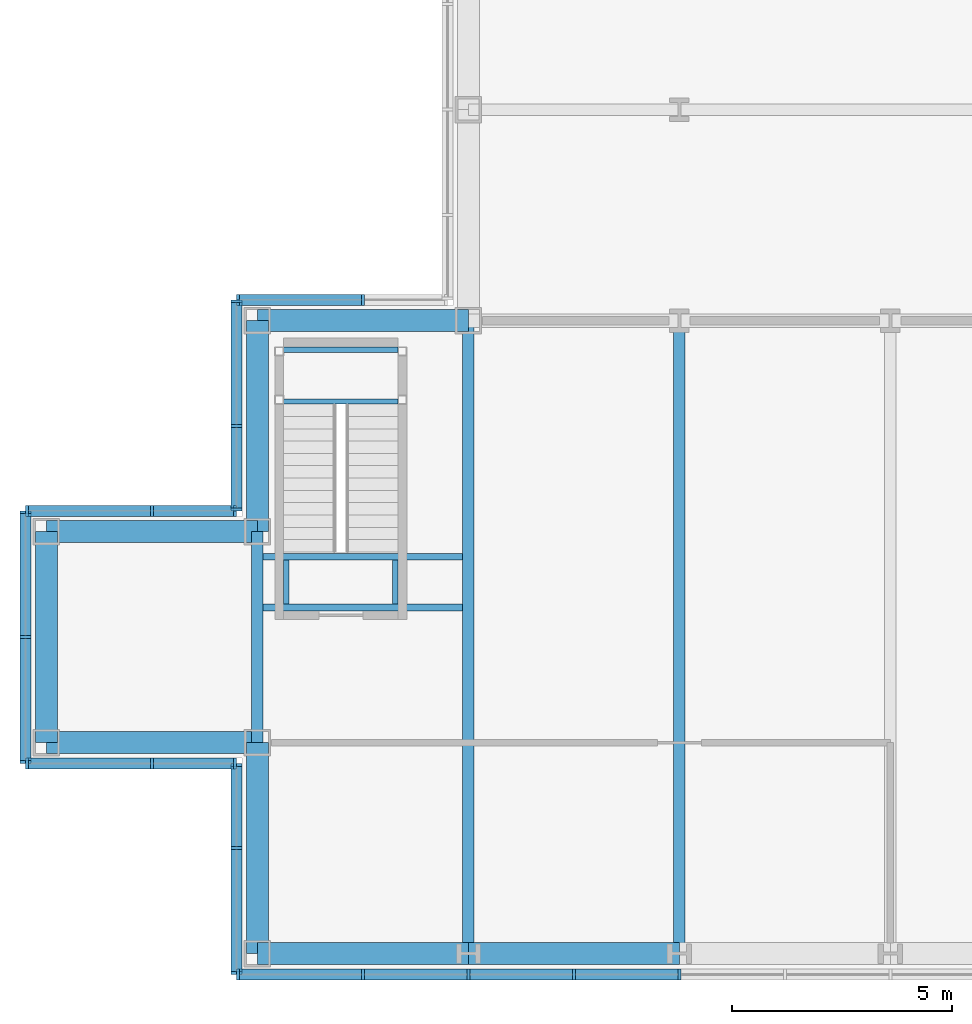
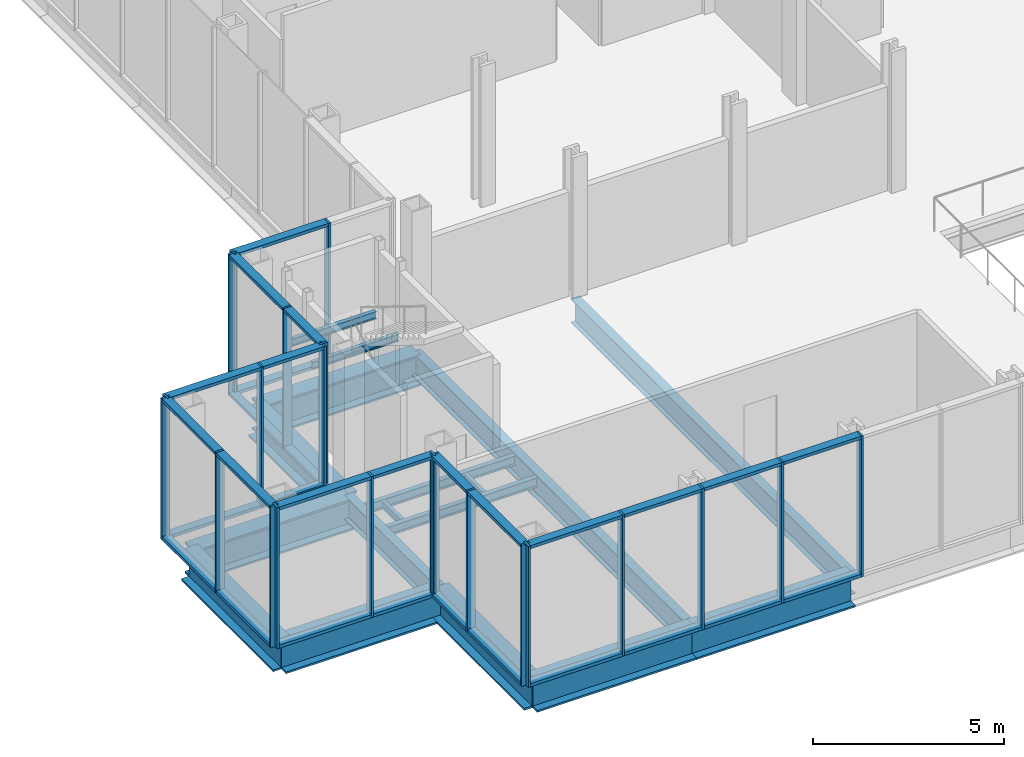
# One storey, part 11 of 26: 52 members, 17 beams, 7 elements without a shape of their own.
"""IFC4 building model written with IfcOpenShell, lengths in metres."""

from ifc_helpers import new_model, si_unit, direction, frame, origin, origin_2d, place, context, subcontext, project, spatial, rectangle, i_section, extrude, material, material_profile, profile_set, type_object, element, aggregate, save


model = new_model("IFC4")

# Units and contexts
model_context = context("Model", 3, precision=1e-05, world=origin(), true_north=direction((0.0, 1.0)))
body_context = subcontext(model_context, "Body", "Model", "MODEL_VIEW")
ifc_project = project(units=[si_unit("LENGTHUNIT", "METRE"), si_unit("AREAUNIT", "SQUARE_METRE"), si_unit("VOLUMEUNIT", "CUBIC_METRE"), si_unit("PLANEANGLEUNIT", "RADIAN"), si_unit("MASSUNIT", "GRAM", prefix="KILO")], contexts=[model_context])

# Site, building, storey
site_placement = place(None, origin())
site = spatial("IfcSite", under=ifc_project, at=site_placement, CompositionType="ELEMENT")
building_placement = place(site_placement, origin())
building = spatial("IfcBuilding", under=site, at=building_placement, Name="Kvirike Care Tower", CompositionType="ELEMENT")
storey_placement = place(building_placement, frame((0.0, 0.0, 18.0)))
storey = spatial("IfcBuildingStorey", under=building, at=storey_placement, Name="L04", CompositionType="ELEMENT", Elevation=18.0)

# Curtain wall, members
ifc_material_1 = material(Name="Anodised aluminium stick system", Category="aluminium")
curtain_wall_type = type_object("IfcCurtainWallType", Name="CW-P PODIUM STICK CURTAIN WALL", PredefinedType="NOTDEFINED", material=ifc_material_1)
curtain_wall_1_placement = place(storey_placement, origin())
curtain_wall_1 = element("IfcCurtainWall", 1, at=curtain_wall_1_placement, inside=storey, type_object=curtain_wall_type, Name="Curtain wall L04 face 1", PredefinedType="NOTDEFINED")
ifc_material_2 = material(Name="Bronze anodised aluminium mullion", Category="aluminium")
ifc_material_profile_1 = material_profile(ifc_material_2, rectangle(XDim=0.06494140625, YDim=0.25, at=origin_2d()), Name="CW-P MULLION 65x250")
ifc_profile_set_1 = profile_set([ifc_material_profile_1], Name="Bronze anodised aluminium mullion")
member_type_1 = type_object("IfcMemberType", Name="CW-P MULLION 65x250", PredefinedType="MULLION", material=ifc_profile_set_1)
member_1_placement = place(storey_placement, frame((-5.242431640625, -0.47509765625, 0.0), z_axis=(0.0, 0.0, 1.0), x_axis=(1.0, 0.0, 0.0)))
member_1 = element("IfcMember", 2, at=member_1_placement, type_object=member_type_1, Name="CW-P mullion L04 face 1.1", PredefinedType="MULLION", context=body_context, shape_type="SweptSolid", body=[
    extrude(rectangle(XDim=0.06494140625, YDim=0.25, at=origin_2d()), origin(), (0.0, 0.0, 1.0), 4.5),
])
member_2_placement = place(storey_placement, frame((-2.39990234375, -0.47509765625, 0.0), z_axis=(0.0, 0.0, 1.0), x_axis=(1.0, 0.0, 0.0)))
member_2 = element("IfcMember", 3, at=member_2_placement, type_object=member_type_1, Name="CW-P mullion L04 face 1.2", PredefinedType="MULLION", context=body_context, shape_type="SweptSolid", body=[
    extrude(rectangle(XDim=0.06494140625, YDim=0.25, at=origin_2d()), origin(), (0.0, 0.0, 1.0), 4.5),
])
member_3_placement = place(storey_placement, frame((0.0, -0.47509765625, 0.0), z_axis=(0.0, 0.0, 1.0), x_axis=(1.0, 0.0, 0.0)))
member_3 = element("IfcMember", 4, at=member_3_placement, type_object=member_type_1, Name="CW-P mullion L04 face 1.3", PredefinedType="MULLION", context=body_context, shape_type="SweptSolid", body=[
    extrude(rectangle(XDim=0.06494140625, YDim=0.25, at=origin_2d()), origin(), (0.0, 0.0, 1.0), 4.5),
])
member_4_placement = place(storey_placement, frame((2.39990234375, -0.47509765625, 0.0), z_axis=(0.0, 0.0, 1.0), x_axis=(1.0, 0.0, 0.0)))
member_4 = element("IfcMember", 5, at=member_4_placement, type_object=member_type_1, Name="CW-P mullion L04 face 1.4", PredefinedType="MULLION", context=body_context, shape_type="SweptSolid", body=[
    extrude(rectangle(XDim=0.06494140625, YDim=0.25, at=origin_2d()), origin(), (0.0, 0.0, 1.0), 4.5),
])
member_5_placement = place(storey_placement, frame((4.800048828125, -0.47509765625, 0.0), z_axis=(0.0, 0.0, 1.0), x_axis=(1.0, 0.0, 0.0)))
member_5 = element("IfcMember", 6, at=member_5_placement, type_object=member_type_1, Name="CW-P mullion L04 face 1.5", PredefinedType="MULLION", context=body_context, shape_type="SweptSolid", body=[
    extrude(rectangle(XDim=0.06494140625, YDim=0.25, at=origin_2d()), origin(), (0.0, 0.0, 1.0), 4.5),
])

curtain_wall_2_placement = place(storey_placement, origin())
curtain_wall_2 = element("IfcCurtainWall", 7, at=curtain_wall_2_placement, inside=storey, type_object=curtain_wall_type, Name="Curtain wall L04 face 15", PredefinedType="NOTDEFINED")
member_6_placement = place(storey_placement, frame((-2.39990234375, 14.875, 0.0), z_axis=(0.0, 0.0, 1.0), x_axis=(-1.0, 0.0, 0.0)))
member_6 = element("IfcMember", 8, at=member_6_placement, type_object=member_type_1, Name="CW-P mullion L04 face 15.2", PredefinedType="MULLION", context=body_context, shape_type="SweptSolid", body=[
    extrude(rectangle(XDim=0.06494140625, YDim=0.25, at=origin_2d()), origin(), (0.0, 0.0, 1.0), 4.5),
])
member_7_placement = place(storey_placement, frame((-5.242431640625, 14.875, 0.0), z_axis=(0.0, 0.0, 1.0), x_axis=(-1.0, 0.0, 0.0)))
member_7 = element("IfcMember", 9, at=member_7_placement, type_object=member_type_1, Name="CW-P mullion L04 face 15.3", PredefinedType="MULLION", context=body_context, shape_type="SweptSolid", body=[
    extrude(rectangle(XDim=0.06494140625, YDim=0.25, at=origin_2d()), origin(), (0.0, 0.0, 1.0), 4.5),
])

curtain_wall_3_placement = place(storey_placement, origin())
curtain_wall_3 = element("IfcCurtainWall", 10, at=curtain_wall_3_placement, inside=storey, type_object=curtain_wall_type, Name="Curtain wall L04 face 16", PredefinedType="NOTDEFINED")
member_8_placement = place(storey_placement, frame((-5.27490234375, 14.842529296875, 0.0), z_axis=(0.0, 0.0, 1.0), x_axis=(0.0, -1.0, 0.0)))
member_8 = element("IfcMember", 11, at=member_8_placement, type_object=member_type_1, Name="CW-P mullion L04 face 16.1", PredefinedType="MULLION", context=body_context, shape_type="SweptSolid", body=[
    extrude(rectangle(XDim=0.06494140625, YDim=0.25, at=origin_2d()), origin(), (0.0, 0.0, 1.0), 4.5),
])
member_9_placement = place(storey_placement, frame((-5.27490234375, 12.0, 0.0), z_axis=(0.0, 0.0, 1.0), x_axis=(0.0, -1.0, 0.0)))
member_9 = element("IfcMember", 12, at=member_9_placement, type_object=member_type_1, Name="CW-P mullion L04 face 16.2", PredefinedType="MULLION", context=body_context, shape_type="SweptSolid", body=[
    extrude(rectangle(XDim=0.06494140625, YDim=0.25, at=origin_2d()), origin(), (0.0, 0.0, 1.0), 4.5),
])
member_10_placement = place(storey_placement, frame((-5.27490234375, 10.107421875, 0.0), z_axis=(0.0, 0.0, 1.0), x_axis=(0.0, -1.0, 0.0)))
member_10 = element("IfcMember", 13, at=member_10_placement, type_object=member_type_1, Name="CW-P mullion L04 face 16.3", PredefinedType="MULLION", context=body_context, shape_type="SweptSolid", body=[
    extrude(rectangle(XDim=0.06494140625, YDim=0.25, at=origin_2d()), origin(), (0.0, 0.0, 1.0), 4.5),
])

curtain_wall_4_placement = place(storey_placement, origin())
curtain_wall_4 = element("IfcCurtainWall", 14, at=curtain_wall_4_placement, inside=storey, type_object=curtain_wall_type, Name="Curtain wall L04 face 17", PredefinedType="NOTDEFINED")
member_11_placement = place(storey_placement, frame((-5.3076171875, 10.074951171875, 0.0), z_axis=(0.0, 0.0, 1.0), x_axis=(-1.0, 0.0, 0.0)))
member_11 = element("IfcMember", 15, at=member_11_placement, type_object=member_type_1, Name="CW-P mullion L04 face 17.1", PredefinedType="MULLION", context=body_context, shape_type="SweptSolid", body=[
    extrude(rectangle(XDim=0.06494140625, YDim=0.25, at=origin_2d()), origin(), (0.0, 0.0, 1.0), 4.5),
])
member_12_placement = place(storey_placement, frame((-7.199951171875, 10.074951171875, 0.0), z_axis=(0.0, 0.0, 1.0), x_axis=(-1.0, 0.0, 0.0)))
member_12 = element("IfcMember", 16, at=member_12_placement, type_object=member_type_1, Name="CW-P mullion L04 face 17.2", PredefinedType="MULLION", context=body_context, shape_type="SweptSolid", body=[
    extrude(rectangle(XDim=0.06494140625, YDim=0.25, at=origin_2d()), origin(), (0.0, 0.0, 1.0), 4.5),
])
member_13_placement = place(storey_placement, frame((-10.04248046875, 10.074951171875, 0.0), z_axis=(0.0, 0.0, 1.0), x_axis=(-1.0, 0.0, 0.0)))
member_13 = element("IfcMember", 17, at=member_13_placement, type_object=member_type_1, Name="CW-P mullion L04 face 17.3", PredefinedType="MULLION", context=body_context, shape_type="SweptSolid", body=[
    extrude(rectangle(XDim=0.06494140625, YDim=0.25, at=origin_2d()), origin(), (0.0, 0.0, 1.0), 4.5),
])

curtain_wall_5_placement = place(storey_placement, origin())
curtain_wall_5 = element("IfcCurtainWall", 18, at=curtain_wall_5_placement, inside=storey, type_object=curtain_wall_type, Name="Curtain wall L04 face 18", PredefinedType="NOTDEFINED")
member_14_placement = place(storey_placement, frame((-10.074951171875, 10.04248046875, 0.0), z_axis=(0.0, 0.0, 1.0), x_axis=(0.0, -1.0, 0.0)))
member_14 = element("IfcMember", 19, at=member_14_placement, type_object=member_type_1, Name="CW-P mullion L04 face 18.1", PredefinedType="MULLION", context=body_context, shape_type="SweptSolid", body=[
    extrude(rectangle(XDim=0.06494140625, YDim=0.25, at=origin_2d()), origin(), (0.0, 0.0, 1.0), 4.5),
])
member_15_placement = place(storey_placement, frame((-10.074951171875, 7.199951171875, 0.0), z_axis=(0.0, 0.0, 1.0), x_axis=(0.0, -1.0, 0.0)))
member_15 = element("IfcMember", 20, at=member_15_placement, type_object=member_type_1, Name="CW-P mullion L04 face 18.2", PredefinedType="MULLION", context=body_context, shape_type="SweptSolid", body=[
    extrude(rectangle(XDim=0.06494140625, YDim=0.25, at=origin_2d()), origin(), (0.0, 0.0, 1.0), 4.5),
])
member_16_placement = place(storey_placement, frame((-10.074951171875, 4.357421875, 0.0), z_axis=(0.0, 0.0, 1.0), x_axis=(0.0, -1.0, 0.0)))
member_16 = element("IfcMember", 21, at=member_16_placement, type_object=member_type_1, Name="CW-P mullion L04 face 18.3", PredefinedType="MULLION", context=body_context, shape_type="SweptSolid", body=[
    extrude(rectangle(XDim=0.06494140625, YDim=0.25, at=origin_2d()), origin(), (0.0, 0.0, 1.0), 4.5),
])

curtain_wall_6_placement = place(storey_placement, origin())
curtain_wall_6 = element("IfcCurtainWall", 22, at=curtain_wall_6_placement, inside=storey, type_object=curtain_wall_type, Name="Curtain wall L04 face 19", PredefinedType="NOTDEFINED")
member_17_placement = place(storey_placement, frame((-10.04248046875, 4.324951171875, 0.0), z_axis=(0.0, 0.0, 1.0), x_axis=(1.0, 0.0, 0.0)))
member_17 = element("IfcMember", 23, at=member_17_placement, type_object=member_type_1, Name="CW-P mullion L04 face 19.1", PredefinedType="MULLION", context=body_context, shape_type="SweptSolid", body=[
    extrude(rectangle(XDim=0.06494140625, YDim=0.25, at=origin_2d()), origin(), (0.0, 0.0, 1.0), 4.5),
])
member_18_placement = place(storey_placement, frame((-7.199951171875, 4.324951171875, 0.0), z_axis=(0.0, 0.0, 1.0), x_axis=(1.0, 0.0, 0.0)))
member_18 = element("IfcMember", 24, at=member_18_placement, type_object=member_type_1, Name="CW-P mullion L04 face 19.2", PredefinedType="MULLION", context=body_context, shape_type="SweptSolid", body=[
    extrude(rectangle(XDim=0.06494140625, YDim=0.25, at=origin_2d()), origin(), (0.0, 0.0, 1.0), 4.5),
])
member_19_placement = place(storey_placement, frame((-5.3076171875, 4.324951171875, 0.0), z_axis=(0.0, 0.0, 1.0), x_axis=(1.0, 0.0, 0.0)))
member_19 = element("IfcMember", 25, at=member_19_placement, type_object=member_type_1, Name="CW-P mullion L04 face 19.3", PredefinedType="MULLION", context=body_context, shape_type="SweptSolid", body=[
    extrude(rectangle(XDim=0.06494140625, YDim=0.25, at=origin_2d()), origin(), (0.0, 0.0, 1.0), 4.5),
])

curtain_wall_7_placement = place(storey_placement, origin())
curtain_wall_7 = element("IfcCurtainWall", 26, at=curtain_wall_7_placement, inside=storey, type_object=curtain_wall_type, Name="Curtain wall L04 face 20", PredefinedType="NOTDEFINED")
member_20_placement = place(storey_placement, frame((-5.27490234375, 4.29248046875, 0.0), z_axis=(0.0, 0.0, 1.0), x_axis=(0.0, -1.0, 0.0)))
member_20 = element("IfcMember", 27, at=member_20_placement, type_object=member_type_1, Name="CW-P mullion L04 face 20.1", PredefinedType="MULLION", context=body_context, shape_type="SweptSolid", body=[
    extrude(rectangle(XDim=0.06494140625, YDim=0.25, at=origin_2d()), origin(), (0.0, 0.0, 1.0), 4.5),
])
member_21_placement = place(storey_placement, frame((-5.27490234375, 2.39990234375, 0.0), z_axis=(0.0, 0.0, 1.0), x_axis=(0.0, -1.0, 0.0)))
member_21 = element("IfcMember", 28, at=member_21_placement, type_object=member_type_1, Name="CW-P mullion L04 face 20.2", PredefinedType="MULLION", context=body_context, shape_type="SweptSolid", body=[
    extrude(rectangle(XDim=0.06494140625, YDim=0.25, at=origin_2d()), origin(), (0.0, 0.0, 1.0), 4.5),
])
member_22_placement = place(storey_placement, frame((-5.27490234375, -0.4423828125, 0.0), z_axis=(0.0, 0.0, 1.0), x_axis=(0.0, -1.0, 0.0)))
member_22 = element("IfcMember", 29, at=member_22_placement, type_object=member_type_1, Name="CW-P mullion L04 face 20.3", PredefinedType="MULLION", context=body_context, shape_type="SweptSolid", body=[
    extrude(rectangle(XDim=0.06494140625, YDim=0.25, at=origin_2d()), origin(), (0.0, 0.0, 1.0), 4.5),
])

# Member
ifc_material_3 = material(Name="Bronze anodised aluminium transom", Category="aluminium")
ifc_material_profile_2 = material_profile(ifc_material_3, rectangle(XDim=0.25, YDim=0.10009765625, at=origin_2d()), Name="CW-P TRANSOM 250x100")
ifc_profile_set_2 = profile_set([ifc_material_profile_2], Name="Bronze anodised aluminium transom")
member_type_2 = type_object("IfcMemberType", Name="CW-P TRANSOM 250x100", PredefinedType="USERDEFINED", material=ifc_profile_set_2)
member_23_placement = place(storey_placement, frame((-5.2099609375, -0.47509765625, 0.050048828125), z_axis=(1.0, 0.0, 0.0), x_axis=(0.0, 1.0, 0.0)))
member_23 = element("IfcMember", 30, at=member_23_placement, type_object=member_type_2, Name="CW-P sill transom L04 face 1.1", ObjectType="TRANSOM", PredefinedType="USERDEFINED", context=body_context, shape_type="SweptSolid", body=[
    extrude(rectangle(XDim=0.25, YDim=0.10009765625, at=origin_2d()), origin(), (0.0, 0.0, 1.0), 2.77734375),
])

member_24_placement = place(storey_placement, frame((-5.2099609375, -0.47509765625, 4.449951171875), z_axis=(1.0, 0.0, 0.0), x_axis=(0.0, 1.0, 0.0)))
member_24 = element("IfcMember", 31, at=member_24_placement, type_object=member_type_2, Name="CW-P head transom L04 face 1.1", ObjectType="TRANSOM", PredefinedType="USERDEFINED", context=body_context, shape_type="SweptSolid", body=[
    extrude(rectangle(XDim=0.25, YDim=0.10009765625, at=origin_2d()), origin(), (0.0, 0.0, 1.0), 2.77734375),
])

member_25_placement = place(storey_placement, frame((-2.367431640625, -0.47509765625, 0.050048828125), z_axis=(1.0, 0.0, 0.0), x_axis=(0.0, 1.0, 0.0)))
member_25 = element("IfcMember", 32, at=member_25_placement, type_object=member_type_2, Name="CW-P sill transom L04 face 1.2", ObjectType="TRANSOM", PredefinedType="USERDEFINED", context=body_context, shape_type="SweptSolid", body=[
    extrude(rectangle(XDim=0.25, YDim=0.10009765625, at=origin_2d()), origin(), (0.0, 0.0, 1.0), 2.3349609375),
])

member_26_placement = place(storey_placement, frame((-2.367431640625, -0.47509765625, 4.449951171875), z_axis=(1.0, 0.0, 0.0), x_axis=(0.0, 1.0, 0.0)))
member_26 = element("IfcMember", 33, at=member_26_placement, type_object=member_type_2, Name="CW-P head transom L04 face 1.2", ObjectType="TRANSOM", PredefinedType="USERDEFINED", context=body_context, shape_type="SweptSolid", body=[
    extrude(rectangle(XDim=0.25, YDim=0.10009765625, at=origin_2d()), origin(), (0.0, 0.0, 1.0), 2.3349609375),
])

member_27_placement = place(storey_placement, frame((0.032470703125, -0.47509765625, 0.050048828125), z_axis=(1.0, 0.0, 0.0), x_axis=(0.0, 1.0, 0.0)))
member_27 = element("IfcMember", 34, at=member_27_placement, type_object=member_type_2, Name="CW-P sill transom L04 face 1.3", ObjectType="TRANSOM", PredefinedType="USERDEFINED", context=body_context, shape_type="SweptSolid", body=[
    extrude(rectangle(XDim=0.25, YDim=0.10009765625, at=origin_2d()), origin(), (0.0, 0.0, 1.0), 2.3349609375),
])

member_28_placement = place(storey_placement, frame((0.032470703125, -0.47509765625, 4.449951171875), z_axis=(1.0, 0.0, 0.0), x_axis=(0.0, 1.0, 0.0)))
member_28 = element("IfcMember", 35, at=member_28_placement, type_object=member_type_2, Name="CW-P head transom L04 face 1.3", ObjectType="TRANSOM", PredefinedType="USERDEFINED", context=body_context, shape_type="SweptSolid", body=[
    extrude(rectangle(XDim=0.25, YDim=0.10009765625, at=origin_2d()), origin(), (0.0, 0.0, 1.0), 2.3349609375),
])

member_29_placement = place(storey_placement, frame((2.4326171875, -0.47509765625, 0.050048828125), z_axis=(1.0, 0.0, 0.0), x_axis=(0.0, 1.0, 0.0)))
member_29 = element("IfcMember", 36, at=member_29_placement, type_object=member_type_2, Name="CW-P sill transom L04 face 1.4", ObjectType="TRANSOM", PredefinedType="USERDEFINED", context=body_context, shape_type="SweptSolid", body=[
    extrude(rectangle(XDim=0.25, YDim=0.10009765625, at=origin_2d()), origin(), (0.0, 0.0, 1.0), 2.3349609375),
])

member_30_placement = place(storey_placement, frame((2.4326171875, -0.47509765625, 4.449951171875), z_axis=(1.0, 0.0, 0.0), x_axis=(0.0, 1.0, 0.0)))
member_30 = element("IfcMember", 37, at=member_30_placement, type_object=member_type_2, Name="CW-P head transom L04 face 1.4", ObjectType="TRANSOM", PredefinedType="USERDEFINED", context=body_context, shape_type="SweptSolid", body=[
    extrude(rectangle(XDim=0.25, YDim=0.10009765625, at=origin_2d()), origin(), (0.0, 0.0, 1.0), 2.3349609375),
])

aggregate(curtain_wall_1, [member_1, member_2, member_3, member_4, member_5, member_23, member_24, member_25, member_26, member_27, member_28, member_29, member_30])

member_31_placement = place(storey_placement, frame((-2.4326171875, 14.875, 0.050048828125), z_axis=(-1.0, 0.0, 0.0), x_axis=(0.0, -1.0, 0.0)))
member_31 = element("IfcMember", 38, at=member_31_placement, type_object=member_type_2, Name="CW-P sill transom L04 face 15.2", ObjectType="TRANSOM", PredefinedType="USERDEFINED", context=body_context, shape_type="SweptSolid", body=[
    extrude(rectangle(XDim=0.25, YDim=0.10009765625, at=origin_2d()), origin(), (0.0, 0.0, 1.0), 2.77734375),
])

member_32_placement = place(storey_placement, frame((-2.4326171875, 14.875, 4.449951171875), z_axis=(-1.0, 0.0, 0.0), x_axis=(0.0, -1.0, 0.0)))
member_32 = element("IfcMember", 39, at=member_32_placement, type_object=member_type_2, Name="CW-P head transom L04 face 15.2", ObjectType="TRANSOM", PredefinedType="USERDEFINED", context=body_context, shape_type="SweptSolid", body=[
    extrude(rectangle(XDim=0.25, YDim=0.10009765625, at=origin_2d()), origin(), (0.0, 0.0, 1.0), 2.77734375),
])

aggregate(curtain_wall_2, [member_6, member_7, member_31, member_32])

member_33_placement = place(storey_placement, frame((-5.27490234375, 14.81005859375, 0.050048828125), z_axis=(0.0, -1.0, 0.0), x_axis=(1.0, 0.0, 0.0)))
member_33 = element("IfcMember", 40, at=member_33_placement, type_object=member_type_2, Name="CW-P sill transom L04 face 16.1", ObjectType="TRANSOM", PredefinedType="USERDEFINED", context=body_context, shape_type="SweptSolid", body=[
    extrude(rectangle(XDim=0.25, YDim=0.10009765625, at=origin_2d()), origin(), (0.0, 0.0, 1.0), 2.777587890625),
])

member_34_placement = place(storey_placement, frame((-5.27490234375, 14.81005859375, 4.449951171875), z_axis=(0.0, -1.0, 0.0), x_axis=(1.0, 0.0, 0.0)))
member_34 = element("IfcMember", 41, at=member_34_placement, type_object=member_type_2, Name="CW-P head transom L04 face 16.1", ObjectType="TRANSOM", PredefinedType="USERDEFINED", context=body_context, shape_type="SweptSolid", body=[
    extrude(rectangle(XDim=0.25, YDim=0.10009765625, at=origin_2d()), origin(), (0.0, 0.0, 1.0), 2.777587890625),
])

member_35_placement = place(storey_placement, frame((-5.27490234375, 11.967529296875, 0.050048828125), z_axis=(0.0, -1.0, 0.0), x_axis=(1.0, 0.0, 0.0)))
member_35 = element("IfcMember", 42, at=member_35_placement, type_object=member_type_2, Name="CW-P sill transom L04 face 16.2", ObjectType="TRANSOM", PredefinedType="USERDEFINED", context=body_context, shape_type="SweptSolid", body=[
    extrude(rectangle(XDim=0.25, YDim=0.10009765625, at=origin_2d()), origin(), (0.0, 0.0, 1.0), 1.82763671875),
])

member_36_placement = place(storey_placement, frame((-5.27490234375, 11.967529296875, 4.449951171875), z_axis=(0.0, -1.0, 0.0), x_axis=(1.0, 0.0, 0.0)))
member_36 = element("IfcMember", 43, at=member_36_placement, type_object=member_type_2, Name="CW-P head transom L04 face 16.2", ObjectType="TRANSOM", PredefinedType="USERDEFINED", context=body_context, shape_type="SweptSolid", body=[
    extrude(rectangle(XDim=0.25, YDim=0.10009765625, at=origin_2d()), origin(), (0.0, 0.0, 1.0), 1.82763671875),
])

aggregate(curtain_wall_3, [member_8, member_9, member_10, member_33, member_34, member_35, member_36])

member_37_placement = place(storey_placement, frame((-5.340087890625, 10.074951171875, 0.050048828125), z_axis=(-1.0, 0.0, 0.0), x_axis=(0.0, -1.0, 0.0)))
member_37 = element("IfcMember", 44, at=member_37_placement, type_object=member_type_2, Name="CW-P sill transom L04 face 17.1", ObjectType="TRANSOM", PredefinedType="USERDEFINED", context=body_context, shape_type="SweptSolid", body=[
    extrude(rectangle(XDim=0.25, YDim=0.10009765625, at=origin_2d()), origin(), (0.0, 0.0, 1.0), 1.827392578125),
])

member_38_placement = place(storey_placement, frame((-5.340087890625, 10.074951171875, 4.449951171875), z_axis=(-1.0, 0.0, 0.0), x_axis=(0.0, -1.0, 0.0)))
member_38 = element("IfcMember", 45, at=member_38_placement, type_object=member_type_2, Name="CW-P head transom L04 face 17.1", ObjectType="TRANSOM", PredefinedType="USERDEFINED", context=body_context, shape_type="SweptSolid", body=[
    extrude(rectangle(XDim=0.25, YDim=0.10009765625, at=origin_2d()), origin(), (0.0, 0.0, 1.0), 1.827392578125),
])

member_39_placement = place(storey_placement, frame((-7.232421875, 10.074951171875, 0.050048828125), z_axis=(-1.0, 0.0, 0.0), x_axis=(0.0, -1.0, 0.0)))
member_39 = element("IfcMember", 46, at=member_39_placement, type_object=member_type_2, Name="CW-P sill transom L04 face 17.2", ObjectType="TRANSOM", PredefinedType="USERDEFINED", context=body_context, shape_type="SweptSolid", body=[
    extrude(rectangle(XDim=0.25, YDim=0.10009765625, at=origin_2d()), origin(), (0.0, 0.0, 1.0), 2.777587890625),
])

member_40_placement = place(storey_placement, frame((-7.232421875, 10.074951171875, 4.449951171875), z_axis=(-1.0, 0.0, 0.0), x_axis=(0.0, -1.0, 0.0)))
member_40 = element("IfcMember", 47, at=member_40_placement, type_object=member_type_2, Name="CW-P head transom L04 face 17.2", ObjectType="TRANSOM", PredefinedType="USERDEFINED", context=body_context, shape_type="SweptSolid", body=[
    extrude(rectangle(XDim=0.25, YDim=0.10009765625, at=origin_2d()), origin(), (0.0, 0.0, 1.0), 2.777587890625),
])

aggregate(curtain_wall_4, [member_11, member_12, member_13, member_37, member_38, member_39, member_40])

member_41_placement = place(storey_placement, frame((-10.074951171875, 10.010009765625, 0.050048828125), z_axis=(0.0, -1.0, 0.0), x_axis=(1.0, 0.0, 0.0)))
member_41 = element("IfcMember", 48, at=member_41_placement, type_object=member_type_2, Name="CW-P sill transom L04 face 18.1", ObjectType="TRANSOM", PredefinedType="USERDEFINED", context=body_context, shape_type="SweptSolid", body=[
    extrude(rectangle(XDim=0.25, YDim=0.10009765625, at=origin_2d()), origin(), (0.0, 0.0, 1.0), 2.777587890625),
])

member_42_placement = place(storey_placement, frame((-10.074951171875, 10.010009765625, 4.449951171875), z_axis=(0.0, -1.0, 0.0), x_axis=(1.0, 0.0, 0.0)))
member_42 = element("IfcMember", 49, at=member_42_placement, type_object=member_type_2, Name="CW-P head transom L04 face 18.1", ObjectType="TRANSOM", PredefinedType="USERDEFINED", context=body_context, shape_type="SweptSolid", body=[
    extrude(rectangle(XDim=0.25, YDim=0.10009765625, at=origin_2d()), origin(), (0.0, 0.0, 1.0), 2.777587890625),
])

member_43_placement = place(storey_placement, frame((-10.074951171875, 7.16748046875, 0.050048828125), z_axis=(0.0, -1.0, 0.0), x_axis=(1.0, 0.0, 0.0)))
member_43 = element("IfcMember", 50, at=member_43_placement, type_object=member_type_2, Name="CW-P sill transom L04 face 18.2", ObjectType="TRANSOM", PredefinedType="USERDEFINED", context=body_context, shape_type="SweptSolid", body=[
    extrude(rectangle(XDim=0.25, YDim=0.10009765625, at=origin_2d()), origin(), (0.0, 0.0, 1.0), 2.777587890625),
])

member_44_placement = place(storey_placement, frame((-10.074951171875, 7.16748046875, 4.449951171875), z_axis=(0.0, -1.0, 0.0), x_axis=(1.0, 0.0, 0.0)))
member_44 = element("IfcMember", 51, at=member_44_placement, type_object=member_type_2, Name="CW-P head transom L04 face 18.2", ObjectType="TRANSOM", PredefinedType="USERDEFINED", context=body_context, shape_type="SweptSolid", body=[
    extrude(rectangle(XDim=0.25, YDim=0.10009765625, at=origin_2d()), origin(), (0.0, 0.0, 1.0), 2.777587890625),
])

aggregate(curtain_wall_5, [member_14, member_15, member_16, member_41, member_42, member_43, member_44])

member_45_placement = place(storey_placement, frame((-10.010009765625, 4.324951171875, 0.050048828125), z_axis=(1.0, 0.0, 0.0), x_axis=(0.0, 1.0, 0.0)))
member_45 = element("IfcMember", 52, at=member_45_placement, type_object=member_type_2, Name="CW-P sill transom L04 face 19.1", ObjectType="TRANSOM", PredefinedType="USERDEFINED", context=body_context, shape_type="SweptSolid", body=[
    extrude(rectangle(XDim=0.25, YDim=0.10009765625, at=origin_2d()), origin(), (0.0, 0.0, 1.0), 2.777587890625),
])

member_46_placement = place(storey_placement, frame((-10.010009765625, 4.324951171875, 4.449951171875), z_axis=(1.0, 0.0, 0.0), x_axis=(0.0, 1.0, 0.0)))
member_46 = element("IfcMember", 53, at=member_46_placement, type_object=member_type_2, Name="CW-P head transom L04 face 19.1", ObjectType="TRANSOM", PredefinedType="USERDEFINED", context=body_context, shape_type="SweptSolid", body=[
    extrude(rectangle(XDim=0.25, YDim=0.10009765625, at=origin_2d()), origin(), (0.0, 0.0, 1.0), 2.777587890625),
])

member_47_placement = place(storey_placement, frame((-7.16748046875, 4.324951171875, 0.050048828125), z_axis=(1.0, 0.0, 0.0), x_axis=(0.0, 1.0, 0.0)))
member_47 = element("IfcMember", 54, at=member_47_placement, type_object=member_type_2, Name="CW-P sill transom L04 face 19.2", ObjectType="TRANSOM", PredefinedType="USERDEFINED", context=body_context, shape_type="SweptSolid", body=[
    extrude(rectangle(XDim=0.25, YDim=0.10009765625, at=origin_2d()), origin(), (0.0, 0.0, 1.0), 1.827392578125),
])

member_48_placement = place(storey_placement, frame((-7.16748046875, 4.324951171875, 4.449951171875), z_axis=(1.0, 0.0, 0.0), x_axis=(0.0, 1.0, 0.0)))
member_48 = element("IfcMember", 55, at=member_48_placement, type_object=member_type_2, Name="CW-P head transom L04 face 19.2", ObjectType="TRANSOM", PredefinedType="USERDEFINED", context=body_context, shape_type="SweptSolid", body=[
    extrude(rectangle(XDim=0.25, YDim=0.10009765625, at=origin_2d()), origin(), (0.0, 0.0, 1.0), 1.827392578125),
])

aggregate(curtain_wall_6, [member_17, member_18, member_19, member_45, member_46, member_47, member_48])

member_49_placement = place(storey_placement, frame((-5.27490234375, 4.260009765625, 0.050048828125), z_axis=(0.0, -1.0, 0.0), x_axis=(1.0, 0.0, 0.0)))
member_49 = element("IfcMember", 56, at=member_49_placement, type_object=member_type_2, Name="CW-P sill transom L04 face 20.1", ObjectType="TRANSOM", PredefinedType="USERDEFINED", context=body_context, shape_type="SweptSolid", body=[
    extrude(rectangle(XDim=0.25, YDim=0.10009765625, at=origin_2d()), origin(), (0.0, 0.0, 1.0), 1.827392578125),
])

member_50_placement = place(storey_placement, frame((-5.27490234375, 4.260009765625, 4.449951171875), z_axis=(0.0, -1.0, 0.0), x_axis=(1.0, 0.0, 0.0)))
member_50 = element("IfcMember", 57, at=member_50_placement, type_object=member_type_2, Name="CW-P head transom L04 face 20.1", ObjectType="TRANSOM", PredefinedType="USERDEFINED", context=body_context, shape_type="SweptSolid", body=[
    extrude(rectangle(XDim=0.25, YDim=0.10009765625, at=origin_2d()), origin(), (0.0, 0.0, 1.0), 1.827392578125),
])

member_51_placement = place(storey_placement, frame((-5.27490234375, 2.367431640625, 0.050048828125), z_axis=(0.0, -1.0, 0.0), x_axis=(1.0, 0.0, 0.0)))
member_51 = element("IfcMember", 58, at=member_51_placement, type_object=member_type_2, Name="CW-P sill transom L04 face 20.2", ObjectType="TRANSOM", PredefinedType="USERDEFINED", context=body_context, shape_type="SweptSolid", body=[
    extrude(rectangle(XDim=0.25, YDim=0.10009765625, at=origin_2d()), origin(), (0.0, 0.0, 1.0), 2.77734375),
])

member_52_placement = place(storey_placement, frame((-5.27490234375, 2.367431640625, 4.449951171875), z_axis=(0.0, -1.0, 0.0), x_axis=(1.0, 0.0, 0.0)))
member_52 = element("IfcMember", 59, at=member_52_placement, type_object=member_type_2, Name="CW-P head transom L04 face 20.2", ObjectType="TRANSOM", PredefinedType="USERDEFINED", context=body_context, shape_type="SweptSolid", body=[
    extrude(rectangle(XDim=0.25, YDim=0.10009765625, at=origin_2d()), origin(), (0.0, 0.0, 1.0), 2.77734375),
])

aggregate(curtain_wall_7, [member_20, member_21, member_22, member_49, member_50, member_51, member_52])

# Beams
ifc_material_4 = material(Name="Steel S355", Category="steel")
ifc_material_profile_3 = material_profile(ifc_material_4, i_section(OverallWidth=0.26806640625, OverallDepth=0.77001953125, WebThickness=0.015625, FlangeThickness=0.025390625, FilletRadius=0.01708984375, at=origin_2d()), Name="IPE 750x196")
ifc_profile_set_3 = profile_set([ifc_material_profile_3], Name="Steel S355")
beam_type_1 = type_object("IfcBeamType", Name="FLOOR BEAM IPE 750x196", PredefinedType="BEAM", material=ifc_profile_set_3)
beam_1_placement = place(storey_placement, frame((-4.800048828125, 4.800048828125, -0.554931640625), z_axis=(0.0, 1.0, 0.0), x_axis=(-1.0, 0.0, 0.0)))
element("IfcBeam", 60, at=beam_1_placement, inside=storey, type_object=beam_type_1, Name="Floor Beam B2-C2 L04", PredefinedType="BEAM", context=body_context, shape_type="SweptSolid", body=[
    extrude(i_section(OverallWidth=0.26806640625, OverallDepth=0.77001953125, WebThickness=0.015625, FlangeThickness=0.025390625, FilletRadius=0.01708984375, at=origin_2d()), origin(), (0.0, 0.0, 1.0), 4.800048828125),
])
for number, where, z_axis, x_axis, name in (
    (61, (0.0, 0.0, -0.554931640625), (0.0, 1.0, 0.0), (-1.0, 0.0, 0.0), "Floor Beam A3-D3 L04"),
    (62, (4.800048828125, 0.0, -0.554931640625), (0.0, 1.0, 0.0), (-1.0, 0.0, 0.0), "Floor Beam A4-D4 L04"),
):
    element("IfcBeam", number, at=place(storey_placement, frame(where, z_axis=z_axis, x_axis=x_axis)), inside=storey, type_object=beam_type_1, Name=name, PredefinedType="BEAM", context=body_context, shape_type="SweptSolid", body=[
        extrude(i_section(OverallWidth=0.26806640625, OverallDepth=0.77001953125, WebThickness=0.015625, FlangeThickness=0.025390625, FilletRadius=0.01708984375, at=origin_2d()), origin(), (0.0, 0.0, 1.0), 14.39990234375),
    ])
ifc_material_5 = material(Name="Steel S355", Category="steel")
ifc_material_profile_4 = material_profile(ifc_material_5, i_section(OverallWidth=0.5, OverallDepth=1.0, WebThickness=0.030029296875, FlangeThickness=0.06005859375, at=origin_2d()), Name="PG 1000x500x30x60")
ifc_profile_set_4 = profile_set([ifc_material_profile_4], Name="Steel S355")
beam_type_2 = type_object("IfcBeamType", Name="SPANDREL PG 1000x500x30x60", PredefinedType="SPANDREL", material=ifc_profile_set_4)
for number, where, z_axis, x_axis, name in (
    (63, (-4.800048828125, 0.0, -0.669921875), (1.0, 0.0, 0.0), (0.0, 1.0, 0.0), "Spandrel A2-A3 L04"),
    (64, (0.0, 0.0, -0.669921875), (1.0, 0.0, 0.0), (0.0, 1.0, 0.0), "Spandrel A3-A4 L04"),
    (65, (-9.60009765625, 4.800048828125, -0.669921875), (1.0, 0.0, 0.0), (0.0, 1.0, 0.0), "Spandrel B1-B2 L04"),
    (66, (-9.60009765625, 9.60009765625, -0.669921875), (1.0, 0.0, 0.0), (0.0, 1.0, 0.0), "Spandrel C1-C2 L04"),
    (67, (-4.800048828125, 14.39990234375, -0.669921875), (1.0, 0.0, 0.0), (0.0, 1.0, 0.0), "Spandrel D2-D3 L04"),
    (68, (-9.60009765625, 4.800048828125, -0.669921875), (0.0, 1.0, 0.0), (-1.0, 0.0, 0.0), "Spandrel B1-C1 L04"),
    (69, (-4.800048828125, 0.0, -0.669921875), (0.0, 1.0, 0.0), (-1.0, 0.0, 0.0), "Spandrel A2-B2 L04"),
):
    element("IfcBeam", number, at=place(storey_placement, frame(where, z_axis=z_axis, x_axis=x_axis)), inside=storey, type_object=beam_type_2, Name=name, PredefinedType="SPANDREL", context=body_context, shape_type="SweptSolid", body=[
        extrude(i_section(OverallWidth=0.5, OverallDepth=1.0, WebThickness=0.030029296875, FlangeThickness=0.06005859375, at=origin_2d()), origin(), (0.0, 0.0, 1.0), 4.800048828125),
    ])
beam_2_placement = place(storey_placement, frame((-4.800048828125, 9.60009765625, -0.669921875), z_axis=(0.0, 1.0, 0.0), x_axis=(-1.0, 0.0, 0.0)))
element("IfcBeam", 70, at=beam_2_placement, inside=storey, type_object=beam_type_2, Name="Spandrel C2-D2 L04", PredefinedType="SPANDREL", context=body_context, shape_type="SweptSolid", body=[
    extrude(i_section(OverallWidth=0.5, OverallDepth=1.0, WebThickness=0.030029296875, FlangeThickness=0.06005859375, at=origin_2d()), origin(), (0.0, 0.0, 1.0), 4.7998046875),
])
ifc_material_6 = material(Name="Steel S355", Category="steel")
ifc_material_profile_5 = material_profile(ifc_material_6, i_section(OverallWidth=0.1201171875, OverallDepth=0.239990234375, WebThickness=0.006103515625, FlangeThickness=0.009765625, FilletRadius=0.014892578125, at=origin_2d()), Name="IPE 240")
ifc_profile_set_5 = profile_set([ifc_material_profile_5], Name="Steel S355")
beam_type_3 = type_object("IfcBeamType", Name="STAIR LANDING BEAM IPE 240", PredefinedType="BEAM", material=ifc_profile_set_5)
for number, where, z_axis, x_axis, name in (
    (71, (-4.199951171875, 13.739990234375, 1.929931640625), (1.0, 0.0, 0.0), (0.0, 1.0, 0.0), "Stair 3 landing beam back L04"),
    (72, (-4.199951171875, 12.56005859375, 1.929931640625), (1.0, 0.0, 0.0), (0.0, 1.0, 0.0), "Stair 3 landing beam front L04"),
):
    element("IfcBeam", number, at=place(storey_placement, frame(where, z_axis=z_axis, x_axis=x_axis)), inside=storey, type_object=beam_type_3, Name=name, PredefinedType="BEAM", context=body_context, shape_type="SweptSolid", body=[
        extrude(i_section(OverallWidth=0.1201171875, OverallDepth=0.239990234375, WebThickness=0.006103515625, FlangeThickness=0.009765625, FilletRadius=0.014892578125, at=origin_2d()), origin(), (0.0, 0.0, 1.0), 2.599853515625),
    ])
for number, where, z_axis, x_axis, name in (
    (73, (-4.139892578125, 8.949951171875, -0.320068359375), (0.0, -1.0, 0.0), (1.0, 0.0, 0.0), "Stair 3 landing edge beam 1 L04"),
    (74, (-1.659912109375, 8.949951171875, -0.320068359375), (0.0, -1.0, 0.0), (1.0, 0.0, 0.0), "Stair 3 landing edge beam 2 L04"),
):
    element("IfcBeam", number, at=place(storey_placement, frame(where, z_axis=z_axis, x_axis=x_axis)), inside=storey, type_object=beam_type_3, Name=name, PredefinedType="BEAM", context=body_context, shape_type="SweptSolid", body=[
        extrude(i_section(OverallWidth=0.1201171875, OverallDepth=0.239990234375, WebThickness=0.006103515625, FlangeThickness=0.009765625, FilletRadius=0.014892578125, at=origin_2d()), origin(), (0.0, 0.0, 1.0), 1.0),
    ])
ifc_material_7 = material(Name="Steel S355", Category="steel")
ifc_material_profile_6 = material_profile(ifc_material_7, i_section(OverallWidth=0.14990234375, OverallDepth=0.300048828125, WebThickness=0.007080078125, FlangeThickness=0.0107421875, FilletRadius=0.014892578125, at=origin_2d()), Name="IPE 300")
ifc_profile_set_6 = profile_set([ifc_material_profile_6], Name="Steel S355")
beam_type_4 = type_object("IfcBeamType", Name="STAIR TRIMMER IPE 300", PredefinedType="BEAM", material=ifc_profile_set_6)
for number, where, z_axis, x_axis, name in (
    (75, (-4.666015625, 9.02490234375, -0.35009765625), (1.0, 0.0, 0.0), (0.0, 1.0, 0.0), "Stair 3 trimmer 1 L04"),
    (76, (-4.666015625, 7.875, -0.35009765625), (1.0, 0.0, 0.0), (0.0, 1.0, 0.0), "Stair 3 trimmer 2 L04"),
):
    element("IfcBeam", number, at=place(storey_placement, frame(where, z_axis=z_axis, x_axis=x_axis)), inside=storey, type_object=beam_type_4, Name=name, PredefinedType="BEAM", context=body_context, shape_type="SweptSolid", body=[
        extrude(i_section(OverallWidth=0.14990234375, OverallDepth=0.300048828125, WebThickness=0.007080078125, FlangeThickness=0.0107421875, FilletRadius=0.014892578125, at=origin_2d()), origin(), (0.0, 0.0, 1.0), 4.531982421875),
    ])

save(model, "model.ifc")
